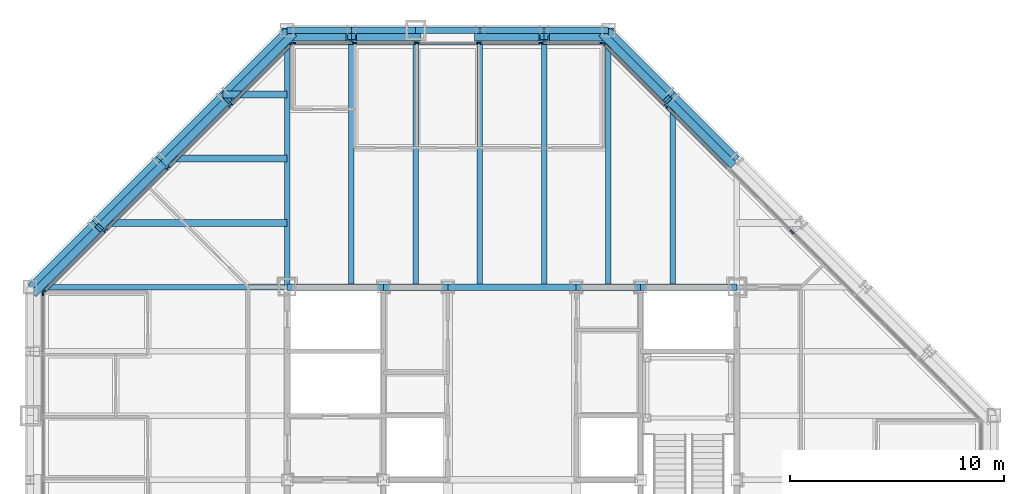
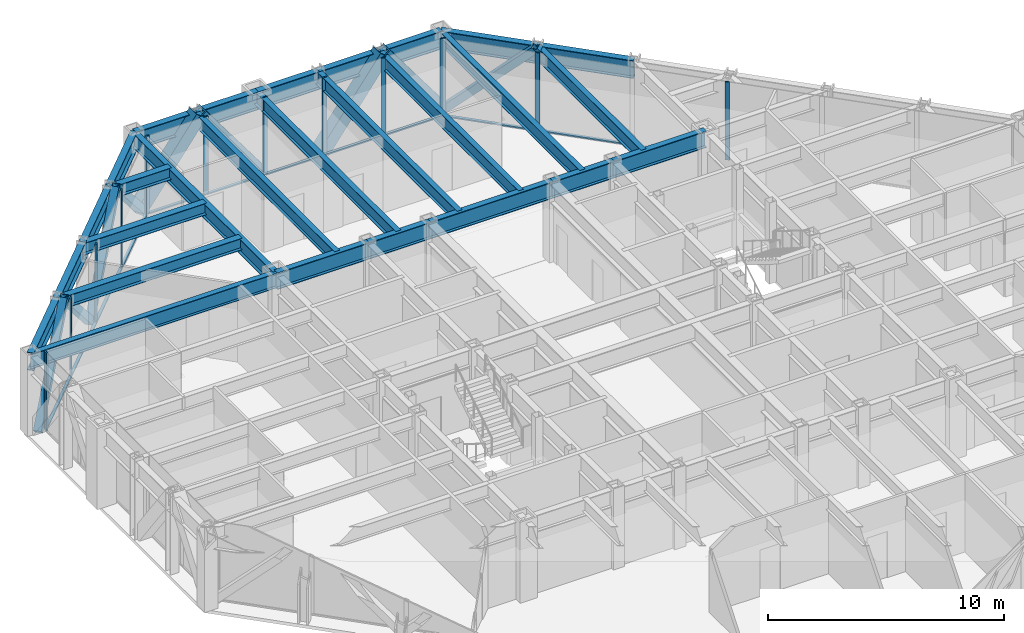
# One storey, part 8 of 16: 36 members, 27 beams, 4 elements without a shape of their own.
"""IFC4 building model written with IfcOpenShell, lengths in metres."""

from ifc_helpers import new_model, si_unit, direction, frame, origin, origin_2d, place, context, subcontext, project, spatial, rectangle, hollow_rectangle, i_section, extrude, material, layer, layer_set, material_profile, profile_set, type_object, element, aggregate, save


model = new_model("IFC4")

# Units and contexts
model_context = context("Model", 3, precision=1e-05, world=origin(), true_north=direction((0.0, 1.0)))
body_context = subcontext(model_context, "Body", "Model", "MODEL_VIEW")
ifc_project = project(units=[si_unit("LENGTHUNIT", "METRE"), si_unit("AREAUNIT", "SQUARE_METRE"), si_unit("VOLUMEUNIT", "CUBIC_METRE"), si_unit("PLANEANGLEUNIT", "RADIAN"), si_unit("MASSUNIT", "GRAM", prefix="KILO")], contexts=[model_context])

# Site, building, storey
site_placement = place(None, origin())
site = spatial("IfcSite", under=ifc_project, at=site_placement, CompositionType="ELEMENT")
building_placement = place(site_placement, origin())
building = spatial("IfcBuilding", under=site, at=building_placement, Name="Chuquiago Exchange Tower", CompositionType="ELEMENT")
storey_placement = place(building_placement, frame((0.0, 0.0, 222.300048828125)))
storey = spatial("IfcBuildingStorey", under=building, at=storey_placement, Name="L49", CompositionType="ELEMENT", Elevation=222.300048828125)

# Beams
ifc_material_1 = material(Name="Steel ASTM A992", Category="steel")
ifc_material_profile_1 = material_profile(ifc_material_1, i_section(OverallWidth=0.25390625, OverallDepth=0.683349609375, WebThickness=0.012451171875, FlangeThickness=0.018798828125, at=origin_2d()), Name="W27X94")
ifc_profile_set_1 = profile_set([ifc_material_profile_1], Name="Steel ASTM A992")
beam_type_1 = type_object("IfcBeamType", Name="B1 W27X94", PredefinedType="BEAM", material=ifc_profile_set_1)
for number, where, z_axis, x_axis, name in (
    (1, (15.0, 33.0, 3.6982421875), (0.0, 1.0, 0.0), (-1.0, 0.0, 0.0), "FB-L50-infill-15_33-15_45-0"),
    (2, (18.0, 33.0, 3.6982421875), (0.0, 1.0, 0.0), (-1.0, 0.0, 0.0), "FB-L50-infill-18_33-18_45-0"),
    (3, (21.0, 33.0, 3.6982421875), (0.0, 1.0, 0.0), (-1.0, 0.0, 0.0), "FB-L50-infill-21_33-21_45-0"),
    (4, (24.0, 33.0, 3.6982421875), (0.0, 1.0, 0.0), (-1.0, 0.0, 0.0), "FB-L50-infill-24_33-24_45-0"),
    (5, (27.0, 33.0, 3.6982421875), (0.0, 1.0, 0.0), (-1.0, 0.0, 0.0), "FB-L50-infill-27_33-27_45-0"),
):
    element("IfcBeam", number, at=place(storey_placement, frame(where, z_axis=z_axis, x_axis=x_axis)), inside=storey, type_object=beam_type_1, Name=name, PredefinedType="BEAM", context=body_context, shape_type="SweptSolid", body=[
        extrude(i_section(OverallWidth=0.25390625, OverallDepth=0.683349609375, WebThickness=0.012451171875, FlangeThickness=0.018798828125, at=origin_2d()), origin(), (0.0, 0.0, 1.0), 12.0),
    ])
beam_1_placement = place(storey_placement, frame((30.0, 33.0, 3.6982421875), z_axis=(0.0, 1.0, 0.0), x_axis=(-1.0, 0.0, 0.0)))
element("IfcBeam", 6, at=beam_1_placement, inside=storey, type_object=beam_type_1, Name="FB-L50-infill-30_33-30_42-0", PredefinedType="BEAM", context=body_context, shape_type="SweptSolid", body=[
    extrude(i_section(OverallWidth=0.25390625, OverallDepth=0.683349609375, WebThickness=0.012451171875, FlangeThickness=0.018798828125, at=origin_2d()), origin(), (0.0, 0.0, 1.0), 9.0),
])
ifc_material_2 = material(Name="Steel ASTM A992", Category="steel")
ifc_material_profile_2 = material_profile(ifc_material_2, i_section(OverallWidth=0.3251953125, OverallDepth=0.612060546875, WebThickness=0.0126953125, FlangeThickness=0.01904296875, at=origin_2d()), Name="W24X104")
ifc_profile_set_2 = profile_set([ifc_material_profile_2], Name="Steel ASTM A992")
beam_type_2 = type_object("IfcBeamType", Name="B2 W24X104", PredefinedType="BEAM", material=ifc_profile_set_2)
beam_2_placement = place(storey_placement, frame((12.0, 36.0, 3.73388671875), z_axis=(-1.0, 0.0, 0.0), x_axis=(0.0, -1.0, 0.0)))
element("IfcBeam", 7, at=beam_2_placement, inside=storey, type_object=beam_type_2, Name="FB-L50-corner-12_36-3_36-0", PredefinedType="BEAM", context=body_context, shape_type="SweptSolid", body=[
    extrude(i_section(OverallWidth=0.3251953125, OverallDepth=0.612060546875, WebThickness=0.0126953125, FlangeThickness=0.01904296875, at=origin_2d()), origin(), (0.0, 0.0, 1.0), 9.0),
])
beam_3_placement = place(storey_placement, frame((12.0, 39.0, 3.73388671875), z_axis=(-1.0, 0.0, 0.0), x_axis=(0.0, -1.0, 0.0)))
element("IfcBeam", 8, at=beam_3_placement, inside=storey, type_object=beam_type_2, Name="FB-L50-corner-12_39-6_39-0", PredefinedType="BEAM", context=body_context, shape_type="SweptSolid", body=[
    extrude(i_section(OverallWidth=0.3251953125, OverallDepth=0.612060546875, WebThickness=0.0126953125, FlangeThickness=0.01904296875, at=origin_2d()), origin(), (0.0, 0.0, 1.0), 6.0),
])
beam_4_placement = place(storey_placement, frame((12.0, 42.0, 3.73388671875), z_axis=(-1.0, 0.0, 0.0), x_axis=(0.0, -1.0, 0.0)))
element("IfcBeam", 9, at=beam_4_placement, inside=storey, type_object=beam_type_2, Name="FB-L50-corner-12_42-9_42-0", PredefinedType="BEAM", context=body_context, shape_type="SweptSolid", body=[
    extrude(i_section(OverallWidth=0.3251953125, OverallDepth=0.612060546875, WebThickness=0.0126953125, FlangeThickness=0.01904296875, at=origin_2d()), origin(), (0.0, 0.0, 1.0), 3.0),
])
ifc_material_3 = material(Name="Steel ASTM A992", Category="steel")
ifc_material_profile_3 = material_profile(ifc_material_3, i_section(OverallWidth=0.2919921875, OverallDepth=0.8583984375, WebThickness=0.01708984375, FlangeThickness=0.031005859375, at=origin_2d()), Name="W33X169")
ifc_profile_set_3 = profile_set([ifc_material_profile_3], Name="Steel ASTM A992")
beam_type_3 = type_object("IfcBeamType", Name="B3 W33X169", PredefinedType="BEAM", material=ifc_profile_set_3)
beam_5_placement = place(storey_placement, frame((12.0, 33.0, 3.610595703125), z_axis=(1.0, 0.0, 0.0), x_axis=(0.0, 1.0, 0.0)))
element("IfcBeam", 10, at=beam_5_placement, inside=storey, type_object=beam_type_3, Name="CB-L50-12_33-16.5_33", PredefinedType="BEAM", context=body_context, shape_type="SweptSolid", body=[
    extrude(i_section(OverallWidth=0.2919921875, OverallDepth=0.8583984375, WebThickness=0.01708984375, FlangeThickness=0.031005859375, at=origin_2d()), origin(), (0.0, 0.0, 1.0), 4.5),
])
beam_6_placement = place(storey_placement, frame((16.5, 33.0, 3.610595703125), z_axis=(1.0, 0.0, 0.0), x_axis=(0.0, 1.0, 0.0)))
element("IfcBeam", 11, at=beam_6_placement, inside=storey, type_object=beam_type_3, Name="CB-L50-16.5_33-19.5_33", PredefinedType="BEAM", context=body_context, shape_type="SweptSolid", body=[
    extrude(i_section(OverallWidth=0.2919921875, OverallDepth=0.8583984375, WebThickness=0.01708984375, FlangeThickness=0.031005859375, at=origin_2d()), origin(), (0.0, 0.0, 1.0), 3.0),
])
beam_7_placement = place(storey_placement, frame((19.5, 33.0, 3.610595703125), z_axis=(1.0, 0.0, 0.0), x_axis=(0.0, 1.0, 0.0)))
element("IfcBeam", 12, at=beam_7_placement, inside=storey, type_object=beam_type_3, Name="CB-L50-19.5_33-25.5_33", PredefinedType="BEAM", context=body_context, shape_type="SweptSolid", body=[
    extrude(i_section(OverallWidth=0.2919921875, OverallDepth=0.8583984375, WebThickness=0.01708984375, FlangeThickness=0.031005859375, at=origin_2d()), origin(), (0.0, 0.0, 1.0), 6.0),
])
beam_8_placement = place(storey_placement, frame((25.5, 33.0, 3.610595703125), z_axis=(1.0, 0.0, 0.0), x_axis=(0.0, 1.0, 0.0)))
element("IfcBeam", 13, at=beam_8_placement, inside=storey, type_object=beam_type_3, Name="CB-L50-25.5_33-28.5_33", PredefinedType="BEAM", context=body_context, shape_type="SweptSolid", body=[
    extrude(i_section(OverallWidth=0.2919921875, OverallDepth=0.8583984375, WebThickness=0.01708984375, FlangeThickness=0.031005859375, at=origin_2d()), origin(), (0.0, 0.0, 1.0), 3.0),
])
beam_9_placement = place(storey_placement, frame((28.5, 33.0, 3.610595703125), z_axis=(1.0, 0.0, 0.0), x_axis=(0.0, 1.0, 0.0)))
element("IfcBeam", 14, at=beam_9_placement, inside=storey, type_object=beam_type_3, Name="CB-L50-28.5_33-33_33", PredefinedType="BEAM", context=body_context, shape_type="SweptSolid", body=[
    extrude(i_section(OverallWidth=0.2919921875, OverallDepth=0.8583984375, WebThickness=0.01708984375, FlangeThickness=0.031005859375, at=origin_2d()), origin(), (0.0, 0.0, 1.0), 4.5),
])

# Curtain wall, members
ifc_material_4 = material(Name="Aluminium curtain wall system", Category="aluminium")
ifc_layer_1 = layer(ifc_material_4, 0.22509765625)
ifc_layer_set_1 = layer_set([ifc_layer_1], Name="CW2 office curtain wall")
curtain_wall_type_1 = type_object("IfcCurtainWallType", Name="CW2 office curtain wall", PredefinedType="NOTDEFINED", material=ifc_layer_set_1)
curtain_wall_1_placement = place(storey_placement, origin())
curtain_wall_1 = element("IfcCurtainWall", 15, at=curtain_wall_1_placement, inside=storey, type_object=curtain_wall_type_1, Name="CW2 curtain wall L49", PredefinedType="NOTDEFINED")
ifc_material_5 = material(Name="Aluminium mullion, pale anodised", Category="aluminium")
ifc_material_profile_4 = material_profile(ifc_material_5, rectangle(XDim=0.06494140625, YDim=0.22509765625, at=origin_2d()), Name="AL 65x225")
ifc_profile_set_4 = profile_set([ifc_material_profile_4], Name="Aluminium mullion, pale anodised")
member_type_1 = type_object("IfcMemberType", Name="CW2-M mullion 65x225", PredefinedType="MULLION", material=ifc_profile_set_4)
member_1_placement = place(storey_placement, frame((26.718994140625, 44.39990234375, 0.0), z_axis=(0.0, 0.0, 1.0), x_axis=(0.0, -1.0, 0.0)))
member_1 = element("IfcMember", 16, at=member_1_placement, type_object=member_type_1, Name="CW2 mullion 1", PredefinedType="MULLION", context=body_context, shape_type="SweptSolid", body=[
    extrude(rectangle(XDim=0.06494140625, YDim=0.22509765625, at=origin_2d()), origin(), (0.0, 0.0, 1.0), 4.0400390625),
])
member_2_placement = place(storey_placement, frame((23.850830078125, 44.39990234375, 0.0), z_axis=(0.0, 0.0, 1.0), x_axis=(0.0, -1.0, 0.0)))
member_2 = element("IfcMember", 17, at=member_2_placement, type_object=member_type_1, Name="CW2 mullion 2", PredefinedType="MULLION", context=body_context, shape_type="SweptSolid", body=[
    extrude(rectangle(XDim=0.06494140625, YDim=0.22509765625, at=origin_2d()), origin(), (0.0, 0.0, 1.0), 4.0400390625),
])
member_3_placement = place(storey_placement, frame((20.9501953125, 44.39990234375, 0.0), z_axis=(0.0, 0.0, 1.0), x_axis=(0.0, -1.0, 0.0)))
member_3 = element("IfcMember", 18, at=member_3_placement, type_object=member_type_1, Name="CW2 mullion 3", PredefinedType="MULLION", context=body_context, shape_type="SweptSolid", body=[
    extrude(rectangle(XDim=0.06494140625, YDim=0.22509765625, at=origin_2d()), origin(), (0.0, 0.0, 1.0), 4.0400390625),
])
member_4_placement = place(storey_placement, frame((18.0498046875, 44.39990234375, 0.0), z_axis=(0.0, 0.0, 1.0), x_axis=(0.0, -1.0, 0.0)))
member_4 = element("IfcMember", 19, at=member_4_placement, type_object=member_type_1, Name="CW2 mullion 4", PredefinedType="MULLION", context=body_context, shape_type="SweptSolid", body=[
    extrude(rectangle(XDim=0.06494140625, YDim=0.22509765625, at=origin_2d()), origin(), (0.0, 0.0, 1.0), 4.0400390625),
])
member_5_placement = place(storey_placement, frame((15.149169921875, 44.39990234375, 0.0), z_axis=(0.0, 0.0, 1.0), x_axis=(0.0, -1.0, 0.0)))
member_5 = element("IfcMember", 20, at=member_5_placement, type_object=member_type_1, Name="CW2 mullion 5", PredefinedType="MULLION", context=body_context, shape_type="SweptSolid", body=[
    extrude(rectangle(XDim=0.06494140625, YDim=0.22509765625, at=origin_2d()), origin(), (0.0, 0.0, 1.0), 4.0400390625),
])
member_6_placement = place(storey_placement, frame((12.281005859375, 44.39990234375, 0.0), z_axis=(0.0, 0.0, 1.0), x_axis=(0.0, -1.0, 0.0)))
member_6 = element("IfcMember", 21, at=member_6_placement, type_object=member_type_1, Name="CW2 mullion 6", PredefinedType="MULLION", context=body_context, shape_type="SweptSolid", body=[
    extrude(rectangle(XDim=0.06494140625, YDim=0.22509765625, at=origin_2d()), origin(), (0.0, 0.0, 1.0), 4.0400390625),
])

# Curtain wall, member
curtain_wall_2_placement = place(storey_placement, origin())
curtain_wall_2 = element("IfcCurtainWall", 22, at=curtain_wall_2_placement, inside=storey, type_object=curtain_wall_type_1, Name="CW2 curtain wall L49", PredefinedType="NOTDEFINED")
member_7_placement = place(storey_placement, frame((0.60009765625, 32.718994140625, 0.0), z_axis=(0.0, 0.0, 1.0), x_axis=(1.0, 0.0, 0.0)))
member_7 = element("IfcMember", 23, at=member_7_placement, type_object=member_type_1, Name="CW2 mullion 1", PredefinedType="MULLION", context=body_context, shape_type="SweptSolid", body=[
    extrude(rectangle(XDim=0.06494140625, YDim=0.22509765625, at=origin_2d()), origin(), (0.0, 0.0, 1.0), 4.0400390625),
])
aggregate(curtain_wall_2, [member_7])

# Member
ifc_material_6 = material(Name="Aluminium transom, pale anodised", Category="aluminium")
ifc_material_profile_5 = material_profile(ifc_material_6, rectangle(XDim=0.139892578125, YDim=0.06494140625, at=origin_2d()), Name="AL 140x65")
ifc_profile_set_5 = profile_set([ifc_material_profile_5], Name="Aluminium transom, pale anodised")
member_type_2 = type_object("IfcMemberType", Name="CW2-T transom 65x140", PredefinedType="MULLION", material=ifc_profile_set_5)
member_8_placement = place(storey_placement, frame((26.6865234375, 44.39990234375, 0.032470703125), z_axis=(-1.0, 0.0, 0.0), x_axis=(0.0, -1.0, 0.0)))
member_8 = element("IfcMember", 24, at=member_8_placement, type_object=member_type_2, Name="CW2 transom 1.1", PredefinedType="MULLION", context=body_context, shape_type="SweptSolid", body=[
    extrude(rectangle(XDim=0.139892578125, YDim=0.06494140625, at=origin_2d()), origin(), (0.0, 0.0, 1.0), 2.80322265625),
])

member_9_placement = place(storey_placement, frame((23.818359375, 44.39990234375, 0.032470703125), z_axis=(-1.0, 0.0, 0.0), x_axis=(0.0, -1.0, 0.0)))
member_9 = element("IfcMember", 25, at=member_9_placement, type_object=member_type_2, Name="CW2 transom 2.1", PredefinedType="MULLION", context=body_context, shape_type="SweptSolid", body=[
    extrude(rectangle(XDim=0.139892578125, YDim=0.06494140625, at=origin_2d()), origin(), (0.0, 0.0, 1.0), 2.83544921875),
])

member_10_placement = place(storey_placement, frame((20.917724609375, 44.39990234375, 0.032470703125), z_axis=(-1.0, 0.0, 0.0), x_axis=(0.0, -1.0, 0.0)))
member_10 = element("IfcMember", 26, at=member_10_placement, type_object=member_type_2, Name="CW2 transom 3.1", PredefinedType="MULLION", context=body_context, shape_type="SweptSolid", body=[
    extrude(rectangle(XDim=0.139892578125, YDim=0.06494140625, at=origin_2d()), origin(), (0.0, 0.0, 1.0), 2.83544921875),
])

member_11_placement = place(storey_placement, frame((18.01708984375, 44.39990234375, 0.032470703125), z_axis=(-1.0, 0.0, 0.0), x_axis=(0.0, -1.0, 0.0)))
member_11 = element("IfcMember", 27, at=member_11_placement, type_object=member_type_2, Name="CW2 transom 4.1", PredefinedType="MULLION", context=body_context, shape_type="SweptSolid", body=[
    extrude(rectangle(XDim=0.139892578125, YDim=0.06494140625, at=origin_2d()), origin(), (0.0, 0.0, 1.0), 2.83544921875),
])

member_12_placement = place(storey_placement, frame((15.11669921875, 44.39990234375, 0.032470703125), z_axis=(-1.0, 0.0, 0.0), x_axis=(0.0, -1.0, 0.0)))
member_12 = element("IfcMember", 28, at=member_12_placement, type_object=member_type_2, Name="CW2 transom 5.1", PredefinedType="MULLION", context=body_context, shape_type="SweptSolid", body=[
    extrude(rectangle(XDim=0.139892578125, YDim=0.06494140625, at=origin_2d()), origin(), (0.0, 0.0, 1.0), 2.80322265625),
])

aggregate(curtain_wall_1, [member_1, member_2, member_3, member_4, member_5, member_6, member_8, member_9, member_10, member_11, member_12])

# Curtain wall, members
ifc_material_7 = material(Name="Aluminium curtain wall system", Category="aluminium")
ifc_layer_2 = layer(ifc_material_7, 0.199951171875)
ifc_layer_set_2 = layer_set([ifc_layer_2], Name="CW3 facet curtain wall")
curtain_wall_type_2 = type_object("IfcCurtainWallType", Name="CW3 facet curtain wall", PredefinedType="NOTDEFINED", material=ifc_layer_set_2)
curtain_wall_3_placement = place(storey_placement, origin())
curtain_wall_3 = element("IfcCurtainWall", 29, at=curtain_wall_3_placement, inside=storey, type_object=curtain_wall_type_2, Name="CW3 curtain wall L49", PredefinedType="NOTDEFINED")
ifc_material_8 = material(Name="Aluminium mullion, pale anodised", Category="aluminium")
ifc_material_profile_6 = material_profile(ifc_material_8, rectangle(XDim=0.06494140625, YDim=0.199951171875, at=origin_2d()), Name="AL 65x200")
ifc_profile_set_6 = profile_set([ifc_material_profile_6], Name="Aluminium mullion, pale anodised")
member_type_3 = type_object("IfcMemberType", Name="CW3-M mullion 65x200", PredefinedType="MULLION", material=ifc_profile_set_6)
member_13_placement = place(storey_placement, frame((35.57568359375, 35.57568359375, 0.0), z_axis=(0.0, 0.0, 1.0), x_axis=(-0.707106781187, -0.707106781187, 0.0)))
member_13 = element("IfcMember", 30, at=member_13_placement, type_object=member_type_3, Name="CW3 mullion 4", PredefinedType="MULLION", context=body_context, shape_type="SweptSolid", body=[
    extrude(rectangle(XDim=0.06494140625, YDim=0.199951171875, at=origin_2d()), origin(), (0.0, 0.0, 1.0), 4.0400390625),
])
member_14_placement = place(storey_placement, frame((29.69287109375, 41.45849609375, 0.0), z_axis=(0.0, 0.0, 1.0), x_axis=(-0.707106781187, -0.707106781187, 0.0)))
member_14 = element("IfcMember", 31, at=member_14_placement, type_object=member_type_3, Name="CW3 mullion 6", PredefinedType="MULLION", context=body_context, shape_type="SweptSolid", body=[
    extrude(rectangle(XDim=0.06494140625, YDim=0.199951171875, at=origin_2d()), origin(), (0.0, 0.0, 1.0), 4.0400390625),
])
member_15_placement = place(storey_placement, frame((26.7744140625, 44.376953125, 0.0), z_axis=(0.0, 0.0, 1.0), x_axis=(-0.707106781187, -0.707106781187, 0.0)))
member_15 = element("IfcMember", 32, at=member_15_placement, type_object=member_type_3, Name="CW3 mullion 7", PredefinedType="MULLION", context=body_context, shape_type="SweptSolid", body=[
    extrude(rectangle(XDim=0.06494140625, YDim=0.199951171875, at=origin_2d()), origin(), (0.0, 0.0, 1.0), 4.0400390625),
])

curtain_wall_4_placement = place(storey_placement, origin())
curtain_wall_4 = element("IfcCurtainWall", 33, at=curtain_wall_4_placement, inside=storey, type_object=curtain_wall_type_2, Name="CW3 curtain wall L49", PredefinedType="NOTDEFINED")
member_16_placement = place(storey_placement, frame((12.2255859375, 44.376953125, 0.0), z_axis=(0.0, 0.0, 1.0), x_axis=(0.707106781187, -0.707106781187, 0.0)))
member_16 = element("IfcMember", 34, at=member_16_placement, type_object=member_type_3, Name="CW3 mullion 1", PredefinedType="MULLION", context=body_context, shape_type="SweptSolid", body=[
    extrude(rectangle(XDim=0.06494140625, YDim=0.199951171875, at=origin_2d()), origin(), (0.0, 0.0, 1.0), 4.0400390625),
])
member_17_placement = place(storey_placement, frame((9.33642578125, 41.48779296875, 0.0), z_axis=(0.0, 0.0, 1.0), x_axis=(0.707106781187, -0.707106781187, 0.0)))
member_17 = element("IfcMember", 35, at=member_17_placement, type_object=member_type_3, Name="CW3 mullion 2", PredefinedType="MULLION", context=body_context, shape_type="SweptSolid", body=[
    extrude(rectangle(XDim=0.06494140625, YDim=0.199951171875, at=origin_2d()), origin(), (0.0, 0.0, 1.0), 4.0400390625),
])
member_18_placement = place(storey_placement, frame((6.42431640625, 38.57568359375, 0.0), z_axis=(0.0, 0.0, 1.0), x_axis=(0.707106781187, -0.707106781187, 0.0)))
member_18 = element("IfcMember", 36, at=member_18_placement, type_object=member_type_3, Name="CW3 mullion 3", PredefinedType="MULLION", context=body_context, shape_type="SweptSolid", body=[
    extrude(rectangle(XDim=0.06494140625, YDim=0.199951171875, at=origin_2d()), origin(), (0.0, 0.0, 1.0), 4.0400390625),
])
member_19_placement = place(storey_placement, frame((3.51220703125, 35.66357421875, 0.0), z_axis=(0.0, 0.0, 1.0), x_axis=(0.707106781187, -0.707106781187, 0.0)))
member_19 = element("IfcMember", 37, at=member_19_placement, type_object=member_type_3, Name="CW3 mullion 4", PredefinedType="MULLION", context=body_context, shape_type="SweptSolid", body=[
    extrude(rectangle(XDim=0.06494140625, YDim=0.199951171875, at=origin_2d()), origin(), (0.0, 0.0, 1.0), 4.0400390625),
])
member_20_placement = place(storey_placement, frame((0.623046875, 32.7744140625, 0.0), z_axis=(0.0, 0.0, 1.0), x_axis=(0.707106781187, -0.707106781187, 0.0)))
member_20 = element("IfcMember", 38, at=member_20_placement, type_object=member_type_3, Name="CW3 mullion 5", PredefinedType="MULLION", context=body_context, shape_type="SweptSolid", body=[
    extrude(rectangle(XDim=0.06494140625, YDim=0.199951171875, at=origin_2d()), origin(), (0.0, 0.0, 1.0), 4.0400390625),
])

# Member
ifc_material_9 = material(Name="Aluminium transom, pale anodised", Category="aluminium")
ifc_material_profile_7 = material_profile(ifc_material_9, rectangle(XDim=0.139892578125, YDim=0.06494140625, at=origin_2d()), Name="AL 140x65")
ifc_profile_set_7 = profile_set([ifc_material_profile_7], Name="Aluminium transom, pale anodised")
member_type_4 = type_object("IfcMemberType", Name="CW3-T transom 65x140", PredefinedType="MULLION", material=ifc_profile_set_7)
member_21_placement = place(storey_placement, frame((32.611328125, 38.5400390625, 0.032470703125), z_axis=(-0.707106781187, 0.707106781187, 0.0), x_axis=(-0.707106781187, -0.707106781187, 0.0)))
member_21 = element("IfcMember", 39, at=member_21_placement, type_object=member_type_4, Name="CW3 transom 5.1", PredefinedType="MULLION", context=body_context, shape_type="SweptSolid", body=[
    extrude(rectangle(XDim=0.139892578125, YDim=0.06494140625, at=origin_2d()), origin(), (0.0, 0.0, 1.0), 4.094970703125),
])

member_22_placement = place(storey_placement, frame((29.669921875, 41.4814453125, 0.032470703125), z_axis=(-0.707106781187, 0.707106781187, 0.0), x_axis=(-0.707106781187, -0.707106781187, 0.0)))
member_22 = element("IfcMember", 40, at=member_22_placement, type_object=member_type_4, Name="CW3 transom 6.1", PredefinedType="MULLION", context=body_context, shape_type="SweptSolid", body=[
    extrude(rectangle(XDim=0.139892578125, YDim=0.06494140625, at=origin_2d()), origin(), (0.0, 0.0, 1.0), 4.0625),
])

aggregate(curtain_wall_3, [member_13, member_14, member_15, member_21, member_22])

member_23_placement = place(storey_placement, frame((12.20263671875, 44.35400390625, 0.032470703125), z_axis=(-0.707106781187, -0.707106781187, 0.0), x_axis=(0.707106781187, -0.707106781187, 0.0)))
member_23 = element("IfcMember", 41, at=member_23_placement, type_object=member_type_4, Name="CW3 transom 1.1", PredefinedType="MULLION", context=body_context, shape_type="SweptSolid", body=[
    extrude(rectangle(XDim=0.139892578125, YDim=0.06494140625, at=origin_2d()), origin(), (0.0, 0.0, 1.0), 4.02099609375),
])

member_24_placement = place(storey_placement, frame((9.3134765625, 41.46484375, 0.032470703125), z_axis=(-0.707106781187, -0.707106781187, 0.0), x_axis=(0.707106781187, -0.707106781187, 0.0)))
member_24 = element("IfcMember", 42, at=member_24_placement, type_object=member_type_4, Name="CW3 transom 2.1", PredefinedType="MULLION", context=body_context, shape_type="SweptSolid", body=[
    extrude(rectangle(XDim=0.139892578125, YDim=0.06494140625, at=origin_2d()), origin(), (0.0, 0.0, 1.0), 4.053466796875),
])

member_25_placement = place(storey_placement, frame((6.4013671875, 38.552734375, 0.032470703125), z_axis=(-0.707106781187, -0.707106781187, 0.0), x_axis=(0.707106781187, -0.707106781187, 0.0)))
member_25 = element("IfcMember", 43, at=member_25_placement, type_object=member_type_4, Name="CW3 transom 3.1", PredefinedType="MULLION", context=body_context, shape_type="SweptSolid", body=[
    extrude(rectangle(XDim=0.139892578125, YDim=0.06494140625, at=origin_2d()), origin(), (0.0, 0.0, 1.0), 4.053466796875),
])

member_26_placement = place(storey_placement, frame((3.4892578125, 35.640625, 0.032470703125), z_axis=(-0.707106781187, -0.707106781187, 0.0), x_axis=(0.707106781187, -0.707106781187, 0.0)))
member_26 = element("IfcMember", 44, at=member_26_placement, type_object=member_type_4, Name="CW3 transom 4.1", PredefinedType="MULLION", context=body_context, shape_type="SweptSolid", body=[
    extrude(rectangle(XDim=0.139892578125, YDim=0.06494140625, at=origin_2d()), origin(), (0.0, 0.0, 1.0), 4.02099609375),
])

aggregate(curtain_wall_4, [member_16, member_17, member_18, member_19, member_20, member_23, member_24, member_25, member_26])

# Beams
ifc_material_10 = material(Name="Steel ASTM A992", Category="steel")
ifc_material_profile_8 = material_profile(ifc_material_10, i_section(OverallWidth=0.2666015625, OverallDepth=0.76953125, WebThickness=0.015625, FlangeThickness=0.025390625, at=origin_2d()), Name="W30X132")
ifc_profile_set_8 = profile_set([ifc_material_profile_8], Name="Steel ASTM A992")
beam_type_4 = type_object("IfcBeamType", Name="G1 W30X132", PredefinedType="BEAM", material=ifc_profile_set_8)
for number, where, z_axis, x_axis, name in (
    (45, (12.0, 33.0, 3.655029296875), (0.0, 1.0, 0.0), (-1.0, 0.0, 0.0), "FB-L50-girder-12_33-12_45-0"),
    (46, (12.0, 33.0, 3.655029296875), (-1.0, 0.0, 0.0), (0.0, -1.0, 0.0), "FB-L50-girder-12_33--0_33-0"),
):
    element("IfcBeam", number, at=place(storey_placement, frame(where, z_axis=z_axis, x_axis=x_axis)), inside=storey, type_object=beam_type_4, Name=name, PredefinedType="BEAM", context=body_context, shape_type="SweptSolid", body=[
        extrude(i_section(OverallWidth=0.2666015625, OverallDepth=0.76953125, WebThickness=0.015625, FlangeThickness=0.025390625, at=origin_2d()), origin(), (0.0, 0.0, 1.0), 12.0),
    ])

# Members
ifc_material_11 = material(Name="Steel ASTM A500 Grade C", Category="steel")
ifc_material_profile_9 = material_profile(ifc_material_11, hollow_rectangle(XDim=0.355712890625, YDim=0.355712890625, WallThickness=0.0146484375, at=origin_2d()), Name="HSS14X14X5/8")
ifc_profile_set_9 = profile_set([ifc_material_profile_9], Name="Steel ASTM A500 Grade C")
member_type_5 = type_object("IfcMemberType", Name="LB2 HSS14X14X5/8", PredefinedType="BRACE", material=ifc_profile_set_9)
for number, where, z_axis, x_axis, name in (
    (47, (32.7685546875, 38.7685546875, 0.0), (-0.512077265487, 0.512077265487, 0.689604051861), (-0.707106781187, -0.707106781187, 0.0), "LB-L49-33_39-30_42"),
    (48, (26.7685546875, 44.7685546875, 0.0), (0.512077265487, -0.512077265487, 0.689604051861), (0.707106781187, 0.707106781187, 0.0), "LB-L49-30_42-27_45"),
    (49, (12.2314453125, 44.7685546875, 0.0), (-0.512077265487, -0.512077265487, 0.689604051861), (0.707106781187, -0.707106781187, 0.0), "LB-L49-12_45-9_42"),
    (50, (6.2314453125, 38.7685546875, 0.0), (0.512077265487, 0.512077265487, 0.689604051861), (-0.707106781187, 0.707106781187, 0.0), "LB-L49-9_42-6_39"),
    (51, (6.2314453125, 38.7685546875, 0.0), (-0.512077265487, -0.512077265487, 0.689604051861), (0.707106781187, -0.707106781187, 0.0), "LB-L49-6_39-3_36"),
    (52, (0.2314453125, 32.7685546875, 0.0), (0.512077265487, 0.512077265487, 0.689604051861), (-0.707106781187, 0.707106781187, 0.0), "LB-L49-3_36-0_33"),
):
    element("IfcMember", number, at=place(storey_placement, frame(where, z_axis=z_axis, x_axis=x_axis)), inside=storey, type_object=member_type_5, Name=name, PredefinedType="BRACE", context=body_context, shape_type="SweptSolid", body=[
        extrude(hollow_rectangle(XDim=0.355712890625, YDim=0.355712890625, WallThickness=0.0146484375, at=origin_2d()), origin(), (0.0, 0.0, 1.0), 5.8583984375),
    ])
ifc_material_12 = material(Name="Steel ASTM A572 Grade 50", Category="steel")
ifc_material_profile_10 = material_profile(ifc_material_12, hollow_rectangle(XDim=0.60009765625, YDim=0.60009765625, WallThickness=0.06005859375, at=origin_2d()), Name="BOX600X600X60")
ifc_profile_set_10 = profile_set([ifc_material_profile_10], Name="Steel ASTM A572 Grade 50")
member_type_6 = type_object("IfcMemberType", Name="MB3 BOX600X600X60", PredefinedType="BRACE", material=ifc_profile_set_10)
for number, where, z_axis, x_axis, name in (
    (53, (27.0, 44.794921875, 0.0), (-0.596173923302, 0.0, 0.802855312728), (0.0, -1.0, 0.0), "Mega diagonal L49 N face"),
    (54, (21.0, 44.794921875, 0.0), (0.596173923302, 0.0, 0.802855312728), (0.0, 1.0, 0.0), "Mega diagonal L49 N face"),
    (55, (18.0, 44.794921875, 0.0), (-0.596173923302, 0.0, 0.802855312728), (0.0, -1.0, 0.0), "Mega diagonal L49 N face"),
    (56, (12.0, 44.794921875, 0.0), (0.596173923302, 0.0, 0.802855312728), (0.0, 1.0, 0.0), "Mega diagonal L49 N face"),
):
    element("IfcMember", number, at=place(storey_placement, frame(where, z_axis=z_axis, x_axis=x_axis)), inside=storey, type_object=member_type_6, Name=name, PredefinedType="BRACE", context=body_context, shape_type="SweptSolid", body=[
        extrude(hollow_rectangle(XDim=0.60009765625, YDim=0.60009765625, WallThickness=0.06005859375, at=origin_2d()), origin(), (0.0, 0.0, 1.0), 5.031982421875),
    ])

# Beams
ifc_material_13 = material(Name="Steel ASTM A992", Category="steel")
ifc_material_profile_11 = material_profile(ifc_material_13, i_section(OverallWidth=0.307373046875, OverallDepth=0.927001953125, WebThickness=0.01953125, FlangeThickness=0.031982421875, at=origin_2d()), Name="W36X194")
ifc_profile_set_11 = profile_set([ifc_material_profile_11], Name="Steel ASTM A992")
beam_type_5 = type_object("IfcBeamType", Name="SP3 W36X194", PredefinedType="SPANDREL", material=ifc_profile_set_11)
for number, where, z_axis, x_axis, name in (
    (57, (33.0, 39.0, 3.576416015625), (-0.707106781187, 0.707106781187, 0.0), (-0.707106781187, -0.707106781187, 0.0), "SPB-L50-33_39-30_42"),
    (58, (30.0, 42.0, 3.576416015625), (-0.707106781187, 0.707106781187, 0.0), (-0.707106781187, -0.707106781187, 0.0), "SPB-L50-30_42-27_45"),
):
    element("IfcBeam", number, at=place(storey_placement, frame(where, z_axis=z_axis, x_axis=x_axis)), inside=storey, type_object=beam_type_5, Name=name, PredefinedType="SPANDREL", context=body_context, shape_type="SweptSolid", body=[
        extrude(i_section(OverallWidth=0.307373046875, OverallDepth=0.927001953125, WebThickness=0.01953125, FlangeThickness=0.031982421875, at=origin_2d()), origin(), (0.0, 0.0, 1.0), 4.24267578125),
    ])
for number, where, z_axis, x_axis, name in (
    (59, (27.0, 45.0, 3.576416015625), (-1.0, 0.0, 0.0), (0.0, -1.0, 0.0), "SPB-L50-27_45-24_45"),
    (60, (24.0, 45.0, 3.576416015625), (-1.0, 0.0, 0.0), (0.0, -1.0, 0.0), "SPB-L50-24_45-21_45"),
    (61, (21.0, 45.0, 3.576416015625), (-1.0, 0.0, 0.0), (0.0, -1.0, 0.0), "SPB-L50-21_45-18_45"),
    (62, (18.0, 45.0, 3.576416015625), (-1.0, 0.0, 0.0), (0.0, -1.0, 0.0), "SPB-L50-18_45-15_45"),
    (63, (15.0, 45.0, 3.576416015625), (-1.0, 0.0, 0.0), (0.0, -1.0, 0.0), "SPB-L50-15_45-12_45"),
):
    element("IfcBeam", number, at=place(storey_placement, frame(where, z_axis=z_axis, x_axis=x_axis)), inside=storey, type_object=beam_type_5, Name=name, PredefinedType="SPANDREL", context=body_context, shape_type="SweptSolid", body=[
        extrude(i_section(OverallWidth=0.307373046875, OverallDepth=0.927001953125, WebThickness=0.01953125, FlangeThickness=0.031982421875, at=origin_2d()), origin(), (0.0, 0.0, 1.0), 3.0),
    ])
for number, where, z_axis, x_axis, name in (
    (64, (12.0, 45.0, 3.576416015625), (-0.707106781187, -0.707106781187, 0.0), (0.707106781187, -0.707106781187, 0.0), "SPB-L50-12_45-9_42"),
    (65, (9.0, 42.0, 3.576416015625), (-0.707106781187, -0.707106781187, 0.0), (0.707106781187, -0.707106781187, 0.0), "SPB-L50-9_42-6_39"),
    (66, (6.0, 39.0, 3.576416015625), (-0.707106781187, -0.707106781187, 0.0), (0.707106781187, -0.707106781187, 0.0), "SPB-L50-6_39-3_36"),
    (67, (3.0, 36.0, 3.576416015625), (-0.707106781187, -0.707106781187, 0.0), (0.707106781187, -0.707106781187, 0.0), "SPB-L50-3_36-0_33"),
):
    element("IfcBeam", number, at=place(storey_placement, frame(where, z_axis=z_axis, x_axis=x_axis)), inside=storey, type_object=beam_type_5, Name=name, PredefinedType="SPANDREL", context=body_context, shape_type="SweptSolid", body=[
        extrude(i_section(OverallWidth=0.307373046875, OverallDepth=0.927001953125, WebThickness=0.01953125, FlangeThickness=0.031982421875, at=origin_2d()), origin(), (0.0, 0.0, 1.0), 4.24267578125),
    ])

save(model, "model.ifc")
